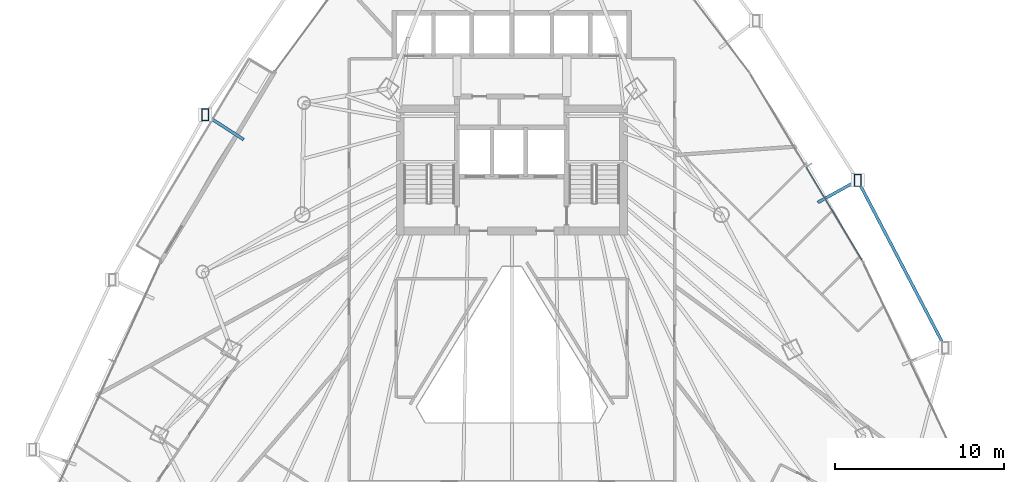
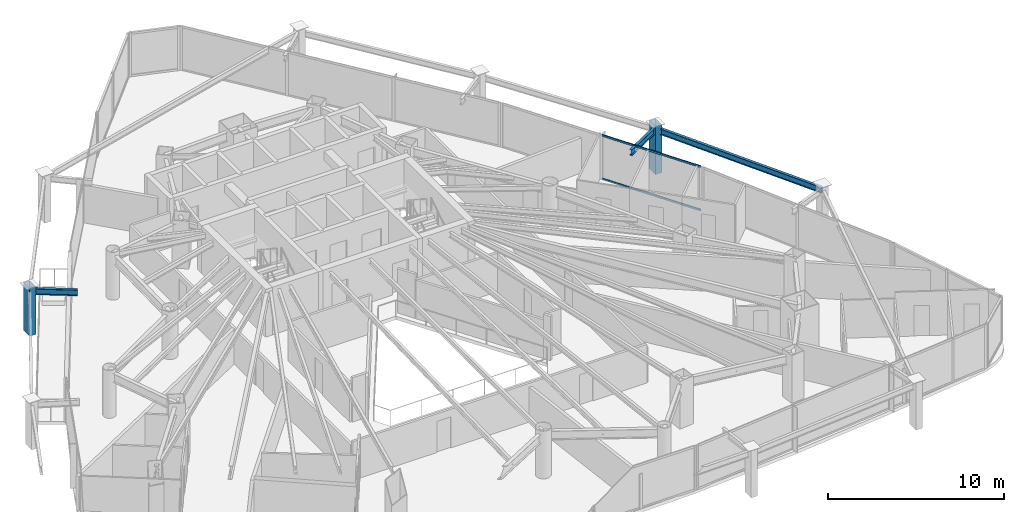
# One storey, part 21 of 35: 4 members, 3 beams, 1 element without a shape of its own.
"""IFC4 building model written with IfcOpenShell, lengths in metres."""

from ifc_helpers import new_model, si_unit, direction, frame, origin, origin_2d, place, context, subcontext, project, spatial, hollow_rectangle, i_section, extrude, material, layer, layer_set, material_profile, profile_set, type_object, element, aggregate, save


model = new_model("IFC4")

# Units and contexts
model_context = context("Model", 3, precision=1e-05, world=origin(), true_north=direction((0.0, 1.0)))
body_context = subcontext(model_context, "Body", "Model", "MODEL_VIEW")
ifc_project = project(units=[si_unit("LENGTHUNIT", "METRE"), si_unit("AREAUNIT", "SQUARE_METRE"), si_unit("VOLUMEUNIT", "CUBIC_METRE"), si_unit("PLANEANGLEUNIT", "RADIAN"), si_unit("MASSUNIT", "GRAM", prefix="KILO")], contexts=[model_context])

# Site, building, storey
site_placement = place(None, origin())
site = spatial("IfcSite", under=ifc_project, at=site_placement, CompositionType="ELEMENT")
building_placement = place(site_placement, origin())
building = spatial("IfcBuilding", under=site, at=building_placement, Name="Orvanel Arch Residences", CompositionType="ELEMENT")
storey_placement = place(building_placement, frame((0.0, 0.0, 30.199951171875)))
storey = spatial("IfcBuildingStorey", under=building, at=storey_placement, Name="L07", CompositionType="ELEMENT", Elevation=30.199951171875)

# Members
ifc_material_1 = material(Name="Structural steel AS/NZS 3678 Grade 350", Category="steel")
ifc_material_profile_1 = material_profile(ifc_material_1, hollow_rectangle(XDim=0.419921875, YDim=0.719970703125, WallThickness=0.02490234375, at=origin_2d()), Name="RHS720x420x25")
ifc_profile_set_1 = profile_set([ifc_material_profile_1], Name="Structural steel AS/NZS 3678 Grade 350")
member_type_1 = type_object("IfcMemberType", Name="CH-720RHS-EXT", PredefinedType="CHORD", material=ifc_profile_set_1)
for number, where, z_axis, x_axis, name in (
    (1, (14.81494140625, 33.56494140625, 0.0), (0.0, 0.0, 1.0), (1.0, 0.0, 0.0), "L07 Outer Perimeter Frame Post 02"),
    (2, (53.51904296875, 29.675048828125, 0.0), (0.0, 0.0, 1.0), (1.0, 0.0, 0.0), "L07 Outer Perimeter Frame Post 10"),
):
    element("IfcMember", number, at=place(storey_placement, frame(where, z_axis=z_axis, x_axis=x_axis)), inside=storey, type_object=member_type_1, Name=name, PredefinedType="CHORD", context=body_context, shape_type="SweptSolid", body=[
        extrude(hollow_rectangle(XDim=0.419921875, YDim=0.719970703125, WallThickness=0.02490234375, at=origin_2d()), origin(), (0.0, 0.0, 1.0), 3.300048828125),
    ])

# Beams
ifc_material_2 = material(Name="Structural steel AS/NZS 3679.1 Grade 300 (300 MPa)", Category="steel")
ifc_material_profile_2 = material_profile(ifc_material_2, i_section(OverallWidth=0.177978515625, OverallDepth=0.406005859375, WebThickness=0.0078125, FlangeThickness=0.0126953125, at=origin_2d()), Name="410UB59.7")
ifc_profile_set_2 = profile_set([ifc_material_profile_2], Name="Structural steel AS/NZS 3679.1 Grade 300 (300 MPa)")
beam_type = type_object("IfcBeamType", Name="OB-410UB-EXT", PredefinedType="SPANDREL", material=ifc_profile_set_2)
beam_1_placement = place(storey_placement, frame((17.090087890625, 32.097900390625, 2.85693359375), z_axis=(-0.840430474877, 0.541919382287, 0.0), x_axis=(-0.541919382287, -0.840430474877, 0.0)))
element("IfcBeam", 3, at=beam_1_placement, inside=storey, type_object=beam_type, Name="L07 Outer Frame Radial Tie Beam 02", PredefinedType="SPANDREL", context=body_context, shape_type="SweptSolid", body=[
    extrude(i_section(OverallWidth=0.177978515625, OverallDepth=0.406005859375, WebThickness=0.0078125, FlangeThickness=0.0126953125, at=origin_2d()), origin(), (0.0, 0.0, 1.0), 2.70703125),
])
beam_2_placement = place(storey_placement, frame((58.701904296875, 19.75390625, 2.85693359375), z_axis=(-0.463030330955, 0.886342435301, 0.0), x_axis=(-0.886342435301, -0.463030330955, 0.0)))
element("IfcBeam", 4, at=beam_2_placement, inside=storey, type_object=beam_type, Name="L07 Outer Perimeter Floor Ring Beam 09", PredefinedType="SPANDREL", context=body_context, shape_type="SweptSolid", body=[
    extrude(i_section(OverallWidth=0.177978515625, OverallDepth=0.406005859375, WebThickness=0.0078125, FlangeThickness=0.0126953125, at=origin_2d()), origin(), (0.0, 0.0, 1.0), 11.193359375),
])
beam_3_placement = place(storey_placement, frame((51.14892578125, 28.365966796875, 2.85693359375), z_axis=(0.875354018861, 0.483482514332, 0.0), x_axis=(-0.483482514332, 0.875354018861, 0.0)))
element("IfcBeam", 5, at=beam_3_placement, inside=storey, type_object=beam_type, Name="L07 Outer Frame Radial Tie Beam 10", PredefinedType="SPANDREL", context=body_context, shape_type="SweptSolid", body=[
    extrude(i_section(OverallWidth=0.177978515625, OverallDepth=0.406005859375, WebThickness=0.0078125, FlangeThickness=0.0126953125, at=origin_2d()), origin(), (0.0, 0.0, 1.0), 2.70751953125),
])

# Curtain wall, members
ifc_material_3 = material(Name="Bronze-anodised aluminium AA6063-T6", Category="aluminium")
ifc_layer = layer(ifc_material_3, 0.179931640625)
ifc_layer_set = layer_set([ifc_layer], Name="Bronze-anodised aluminium AA6063-T6")
curtain_wall_type = type_object("IfcCurtainWallType", Name="CW2-LOW-SYS", PredefinedType="NOTDEFINED", material=ifc_layer_set)
curtain_wall_placement = place(storey_placement, origin())
curtain_wall = element("IfcCurtainWall", 6, at=curtain_wall_placement, inside=storey, type_object=curtain_wall_type, Name="L07 CW2-LOW-SYS Unitised Curtain Wall", PredefinedType="NOTDEFINED")
ifc_material_profile_3 = material_profile(ifc_material_3, hollow_rectangle(XDim=0.06005859375, YDim=0.135009765625, WallThickness=0.00390625, at=origin_2d()), Name="ALU135x60x4")
ifc_profile_set_3 = profile_set([ifc_material_profile_3], Name="Bronze-anodised aluminium AA6063-T6")
member_type_2 = type_object("IfcMemberType", Name="TRN-135x60", PredefinedType="USERDEFINED", material=ifc_profile_set_3)
member_1_placement = place(storey_placement, frame((53.760986328125, 24.9599609375, 0.030029296875), z_axis=(-0.514411623983, 0.857543398967, 0.0), x_axis=(-0.857543398967, -0.514411623983, 0.0)))
member_1 = element("IfcMember", 7, at=member_1_placement, type_object=member_type_2, Name="CW-S2 transom 1.1", ObjectType="TRANSOM", PredefinedType="USERDEFINED", context=body_context, shape_type="SweptSolid", body=[
    extrude(hollow_rectangle(XDim=0.06005859375, YDim=0.135009765625, WallThickness=0.00390625, at=origin_2d()), origin(), (0.0, 0.0, 1.0), 6.4013671875),
])
member_2_placement = place(storey_placement, frame((53.760986328125, 24.9599609375, 3.030029296875), z_axis=(-0.514411623983, 0.857543398967, 0.0), x_axis=(-0.857543398967, -0.514411623983, 0.0)))
member_2 = element("IfcMember", 8, at=member_2_placement, type_object=member_type_2, Name="CW-S2 transom 1.2", ObjectType="TRANSOM", PredefinedType="USERDEFINED", context=body_context, shape_type="SweptSolid", body=[
    extrude(hollow_rectangle(XDim=0.06005859375, YDim=0.135009765625, WallThickness=0.00390625, at=origin_2d()), origin(), (0.0, 0.0, 1.0), 6.4013671875),
])
aggregate(curtain_wall, [member_1, member_2])

save(model, "model.ifc")
